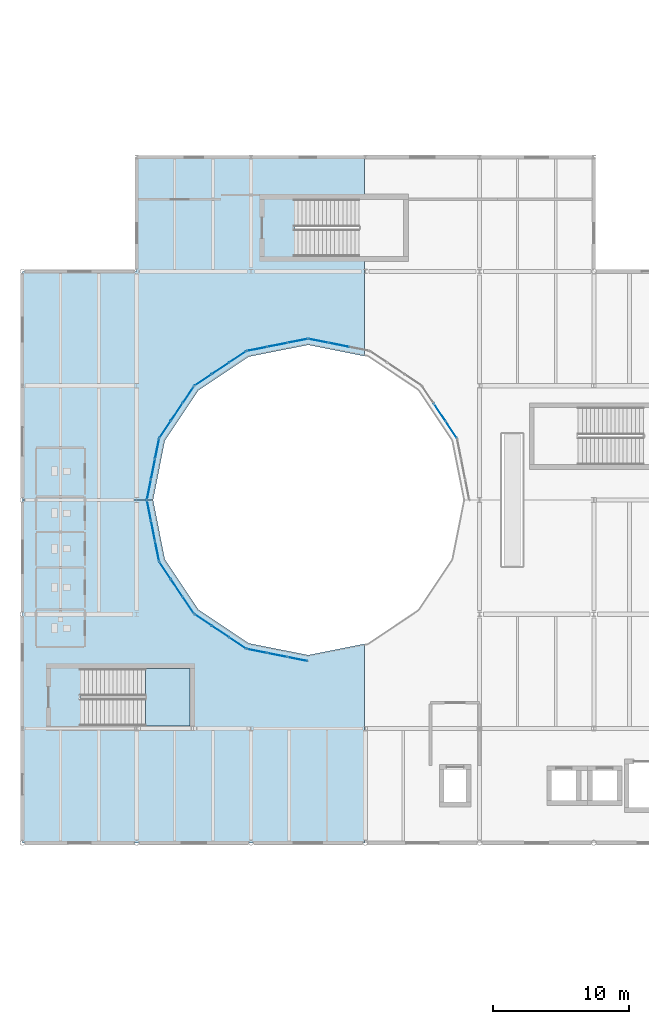
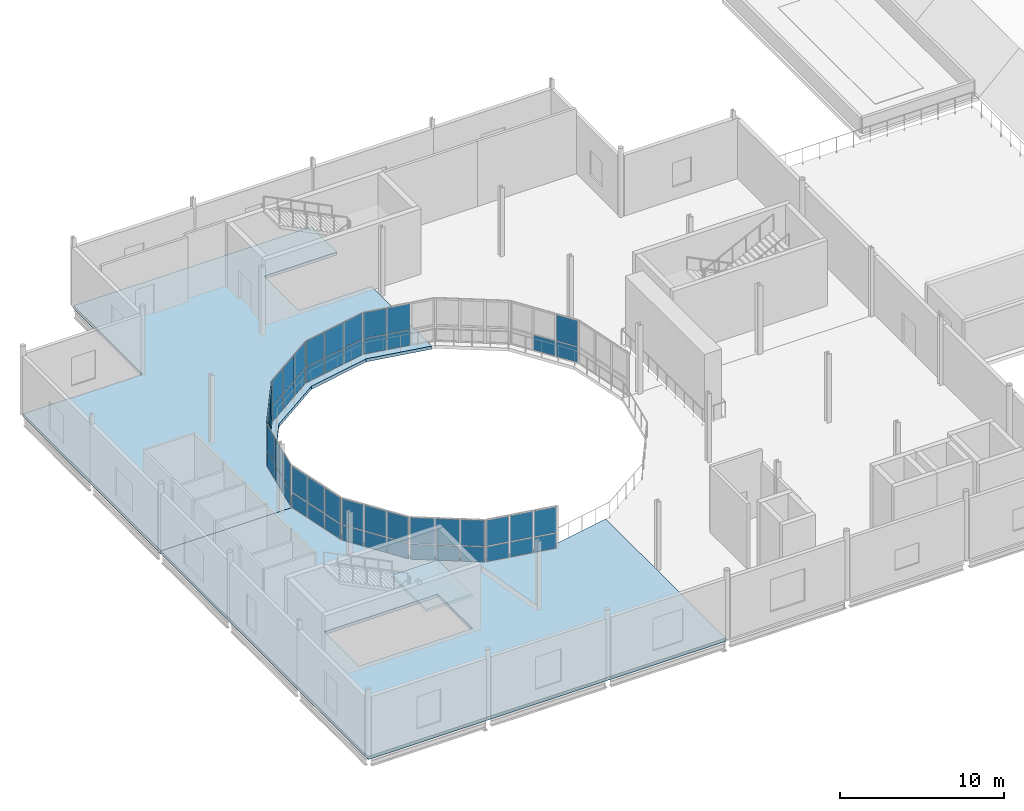
# One storey, part 59 of 91: 55 plates, 3 slabs, 11 elements without a shape of their own.
"""IFC4 building model written with IfcOpenShell, lengths in metres."""

from ifc_helpers import new_model, si_unit, direction, frame, origin, origin_2d, place, context, subcontext, project, spatial, polyline, rectangle, outline, extrude, material, layer, layer_set, type_object, element, aggregate, save


model = new_model("IFC4")

# Units and contexts
model_context = context("Model", 3, precision=1e-05, world=origin(), true_north=direction((0.0, 1.0)))
body_context = subcontext(model_context, "Body", "Model", "MODEL_VIEW")
ifc_project = project(units=[si_unit("LENGTHUNIT", "METRE"), si_unit("AREAUNIT", "SQUARE_METRE"), si_unit("VOLUMEUNIT", "CUBIC_METRE"), si_unit("PLANEANGLEUNIT", "RADIAN"), si_unit("MASSUNIT", "GRAM", prefix="KILO"), si_unit("THERMODYNAMICTEMPERATUREUNIT", "KELVIN")], contexts=[model_context])

# Site, building, storey
site_placement = place(None, origin())
site = spatial("IfcSite", under=ifc_project, at=site_placement, CompositionType="ELEMENT")
building_placement = place(site_placement, origin())
building = spatial("IfcBuilding", under=site, at=building_placement, Name="Lustrewick Department Store", CompositionType="ELEMENT")
storey_placement = place(building_placement, frame((0.0, 0.0, 21.60009765625)))
storey = spatial("IfcBuildingStorey", under=building, at=storey_placement, Name="L05", CompositionType="ELEMENT", Elevation=21.60009765625)

# Curtain wall, plates
ifc_material_1 = material(Name="Thermally broken aluminium 6063-T5", Category="aluminium")
ifc_layer_1 = layer(ifc_material_1, 0.169921875, Name="Thermally broken aluminium 6063-T5")
ifc_layer_set_1 = layer_set([ifc_layer_1], Name="Thermally broken aluminium 6063-T5")
curtain_wall_type_1 = type_object("IfcCurtainWallType", Name="CW16", PredefinedType="NOTDEFINED", material=ifc_layer_set_1)
curtain_wall_1_placement = place(storey_placement, origin())
curtain_wall_1 = element("IfcCurtainWall", 1, at=curtain_wall_1_placement, inside=storey, type_object=curtain_wall_type_1, Name="L05 Atrium Glazed Screen CW16", PredefinedType="NOTDEFINED")
ifc_material_2 = material(Name="Fire-protective atrium safety glass", Category="glass")
ifc_layer_2 = layer(ifc_material_2, 0.02490234375, Name="Fire-protective atrium safety glass")
ifc_layer_set_2 = layer_set([ifc_layer_2], Name="Fire-protective atrium safety glass")
plate_type_1 = type_object("IfcPlateType", Name="CP06", PredefinedType="CURTAIN_PANEL", material=ifc_layer_set_2)
plate_1_placement = place(storey_placement, frame((24.2109375, 77.7109375, 0.06494140625), z_axis=(0.0, 0.0, 1.0), x_axis=(-0.831464212799, -0.555578313862, 0.0)))
plate_1 = element("IfcPlate", 2, at=plate_1_placement, type_object=plate_type_1, Name="CW16 panel 1.1", PredefinedType="CURTAIN_PANEL", context=body_context, shape_type="SweptSolid", body=[
    extrude(rectangle(XDim=1.443603515625, YDim=0.02490234375, at=origin_2d()), origin(), (0.0, 0.0, 1.0), 1.1025390625),
])
plate_2_placement = place(storey_placement, frame((24.2109375, 77.7109375, 1.232421875), z_axis=(0.0, 0.0, 1.0), x_axis=(-0.831464212799, -0.555578313862, 0.0)))
plate_2 = element("IfcPlate", 3, at=plate_2_placement, type_object=plate_type_1, Name="CW16 panel 1.2", PredefinedType="CURTAIN_PANEL", context=body_context, shape_type="SweptSolid", body=[
    extrude(rectangle(XDim=1.443603515625, YDim=0.02490234375, at=origin_2d()), origin(), (0.0, 0.0, 1.0), 1.902587890625),
])
plate_3_placement = place(storey_placement, frame((22.943115234375, 76.863525390625, 0.06494140625), z_axis=(0.0, 0.0, 1.0), x_axis=(-0.831464212799, -0.555578313862, 0.0)))
plate_3 = element("IfcPlate", 4, at=plate_3_placement, type_object=plate_type_1, Name="CW16 panel 2.1", PredefinedType="CURTAIN_PANEL", context=body_context, shape_type="SweptSolid", body=[
    extrude(rectangle(XDim=1.476318359375, YDim=0.02490234375, at=origin_2d()), origin(), (0.0, 0.0, 1.0), 1.1025390625),
])
plate_4_placement = place(storey_placement, frame((22.943115234375, 76.863525390625, 1.232421875), z_axis=(0.0, 0.0, 1.0), x_axis=(-0.831464212799, -0.555578313862, 0.0)))
plate_4 = element("IfcPlate", 5, at=plate_4_placement, type_object=plate_type_1, Name="CW16 panel 2.2", PredefinedType="CURTAIN_PANEL", context=body_context, shape_type="SweptSolid", body=[
    extrude(rectangle(XDim=1.476318359375, YDim=0.02490234375, at=origin_2d()), origin(), (0.0, 0.0, 1.0), 1.902587890625),
])
plate_5_placement = place(storey_placement, frame((21.675048828125, 76.016357421875, 0.06494140625), z_axis=(0.0, 0.0, 1.0), x_axis=(-0.831464212799, -0.555578313862, 0.0)))
plate_5 = element("IfcPlate", 6, at=plate_5_placement, type_object=plate_type_1, Name="CW16 panel 3.1", PredefinedType="CURTAIN_PANEL", context=body_context, shape_type="SweptSolid", body=[
    extrude(rectangle(XDim=1.443603515625, YDim=0.02490234375, at=origin_2d()), origin(), (0.0, 0.0, 1.0), 1.1025390625),
])
plate_6_placement = place(storey_placement, frame((21.675048828125, 76.016357421875, 1.232421875), z_axis=(0.0, 0.0, 1.0), x_axis=(-0.831464212799, -0.555578313862, 0.0)))
plate_6 = element("IfcPlate", 7, at=plate_6_placement, type_object=plate_type_1, Name="CW16 panel 3.2", PredefinedType="CURTAIN_PANEL", context=body_context, shape_type="SweptSolid", body=[
    extrude(rectangle(XDim=1.443603515625, YDim=0.02490234375, at=origin_2d()), origin(), (0.0, 0.0, 1.0), 1.902587890625),
])
aggregate(curtain_wall_1, [plate_1, plate_2, plate_3, plate_4, plate_5, plate_6])

curtain_wall_2_placement = place(storey_placement, origin())
curtain_wall_2 = element("IfcCurtainWall", 8, at=curtain_wall_2_placement, inside=storey, type_object=curtain_wall_type_1, Name="L05 Atrium Glazed Screen CW16", PredefinedType="NOTDEFINED")
plate_7_placement = place(storey_placement, frame((17.70361328125, 66.42822265625, 0.06494140625), z_axis=(0.0, 0.0, 1.0), x_axis=(0.195084537521, -0.980786430993, 0.0)))
plate_7 = element("IfcPlate", 9, at=plate_7_placement, type_object=plate_type_1, Name="CW16 panel 1.1", PredefinedType="CURTAIN_PANEL", context=body_context, shape_type="SweptSolid", body=[
    extrude(rectangle(XDim=1.443603515625, YDim=0.02490234375, at=origin_2d()), origin(), (0.0, 0.0, 1.0), 1.1025390625),
])
plate_8_placement = place(storey_placement, frame((17.70361328125, 66.42822265625, 1.232421875), z_axis=(0.0, 0.0, 1.0), x_axis=(0.195084537521, -0.980786430993, 0.0)))
plate_8 = element("IfcPlate", 10, at=plate_8_placement, type_object=plate_type_1, Name="CW16 panel 1.2", PredefinedType="CURTAIN_PANEL", context=body_context, shape_type="SweptSolid", body=[
    extrude(rectangle(XDim=1.443603515625, YDim=0.02490234375, at=origin_2d()), origin(), (0.0, 0.0, 1.0), 1.902587890625),
])
plate_9_placement = place(storey_placement, frame((18.0009765625, 64.9326171875, 0.06494140625), z_axis=(0.0, 0.0, 1.0), x_axis=(0.195084537521, -0.980786430993, 0.0)))
plate_9 = element("IfcPlate", 11, at=plate_9_placement, type_object=plate_type_1, Name="CW16 panel 2.1", PredefinedType="CURTAIN_PANEL", context=body_context, shape_type="SweptSolid", body=[
    extrude(rectangle(XDim=1.476318359375, YDim=0.02490234375, at=origin_2d()), origin(), (0.0, 0.0, 1.0), 1.1025390625),
])
plate_10_placement = place(storey_placement, frame((18.0009765625, 64.9326171875, 1.232421875), z_axis=(0.0, 0.0, 1.0), x_axis=(0.195084537521, -0.980786430993, 0.0)))
plate_10 = element("IfcPlate", 12, at=plate_10_placement, type_object=plate_type_1, Name="CW16 panel 2.2", PredefinedType="CURTAIN_PANEL", context=body_context, shape_type="SweptSolid", body=[
    extrude(rectangle(XDim=1.476318359375, YDim=0.02490234375, at=origin_2d()), origin(), (0.0, 0.0, 1.0), 1.902587890625),
])
plate_11_placement = place(storey_placement, frame((18.298583984375, 63.43701171875, 0.06494140625), z_axis=(0.0, 0.0, 1.0), x_axis=(0.195084537521, -0.980786430993, 0.0)))
plate_11 = element("IfcPlate", 13, at=plate_11_placement, type_object=plate_type_1, Name="CW16 panel 3.1", PredefinedType="CURTAIN_PANEL", context=body_context, shape_type="SweptSolid", body=[
    extrude(rectangle(XDim=1.443603515625, YDim=0.02490234375, at=origin_2d()), origin(), (0.0, 0.0, 1.0), 1.1025390625),
])
plate_12_placement = place(storey_placement, frame((18.298583984375, 63.43701171875, 1.232421875), z_axis=(0.0, 0.0, 1.0), x_axis=(0.195084537521, -0.980786430993, 0.0)))
plate_12 = element("IfcPlate", 14, at=plate_12_placement, type_object=plate_type_1, Name="CW16 panel 3.2", PredefinedType="CURTAIN_PANEL", context=body_context, shape_type="SweptSolid", body=[
    extrude(rectangle(XDim=1.443603515625, YDim=0.02490234375, at=origin_2d()), origin(), (0.0, 0.0, 1.0), 1.902587890625),
])
aggregate(curtain_wall_2, [plate_7, plate_8, plate_9, plate_10, plate_11, plate_12])

curtain_wall_3_placement = place(storey_placement, origin())
curtain_wall_3 = element("IfcCurtainWall", 15, at=curtain_wall_3_placement, inside=storey, type_object=curtain_wall_type_1, Name="L05 Atrium Glazed Screen CW16", PredefinedType="NOTDEFINED")
plate_13_placement = place(storey_placement, frame((25.636962890625, 56.098388671875, 0.06494140625), z_axis=(0.0, 0.0, 1.0), x_axis=(0.980786430993, -0.195084537521, 0.0)))
plate_13 = element("IfcPlate", 16, at=plate_13_placement, type_object=plate_type_1, Name="CW16 panel 1.1", PredefinedType="CURTAIN_PANEL", context=body_context, shape_type="SweptSolid", body=[
    extrude(rectangle(XDim=1.443603515625, YDim=0.02490234375, at=origin_2d()), origin(), (0.0, 0.0, 1.0), 1.1025390625),
])
plate_14_placement = place(storey_placement, frame((25.636962890625, 56.098388671875, 1.232421875), z_axis=(0.0, 0.0, 1.0), x_axis=(0.980786430993, -0.195084537521, 0.0)))
plate_14 = element("IfcPlate", 17, at=plate_14_placement, type_object=plate_type_1, Name="CW16 panel 1.2", PredefinedType="CURTAIN_PANEL", context=body_context, shape_type="SweptSolid", body=[
    extrude(rectangle(XDim=1.443603515625, YDim=0.02490234375, at=origin_2d()), origin(), (0.0, 0.0, 1.0), 1.902587890625),
])
plate_15_placement = place(storey_placement, frame((27.132568359375, 55.801025390625, 0.06494140625), z_axis=(0.0, 0.0, 1.0), x_axis=(0.980786430993, -0.195084537521, 0.0)))
plate_15 = element("IfcPlate", 18, at=plate_15_placement, type_object=plate_type_1, Name="CW16 panel 2.1", PredefinedType="CURTAIN_PANEL", context=body_context, shape_type="SweptSolid", body=[
    extrude(rectangle(XDim=1.476318359375, YDim=0.02490234375, at=origin_2d()), origin(), (0.0, 0.0, 1.0), 1.1025390625),
])
plate_16_placement = place(storey_placement, frame((27.132568359375, 55.801025390625, 1.232421875), z_axis=(0.0, 0.0, 1.0), x_axis=(0.980786430993, -0.195084537521, 0.0)))
plate_16 = element("IfcPlate", 19, at=plate_16_placement, type_object=plate_type_1, Name="CW16 panel 2.2", PredefinedType="CURTAIN_PANEL", context=body_context, shape_type="SweptSolid", body=[
    extrude(rectangle(XDim=1.476318359375, YDim=0.02490234375, at=origin_2d()), origin(), (0.0, 0.0, 1.0), 1.902587890625),
])
plate_17_placement = place(storey_placement, frame((28.628173828125, 55.50341796875, 0.06494140625), z_axis=(0.0, 0.0, 1.0), x_axis=(0.980786430993, -0.195084537521, 0.0)))
plate_17 = element("IfcPlate", 20, at=plate_17_placement, type_object=plate_type_1, Name="CW16 panel 3.1", PredefinedType="CURTAIN_PANEL", context=body_context, shape_type="SweptSolid", body=[
    extrude(rectangle(XDim=1.443603515625, YDim=0.02490234375, at=origin_2d()), origin(), (0.0, 0.0, 1.0), 1.1025390625),
])
plate_18_placement = place(storey_placement, frame((28.628173828125, 55.50341796875, 1.232421875), z_axis=(0.0, 0.0, 1.0), x_axis=(0.980786430993, -0.195084537521, 0.0)))
plate_18 = element("IfcPlate", 21, at=plate_18_placement, type_object=plate_type_1, Name="CW16 panel 3.2", PredefinedType="CURTAIN_PANEL", context=body_context, shape_type="SweptSolid", body=[
    extrude(rectangle(XDim=1.443603515625, YDim=0.02490234375, at=origin_2d()), origin(), (0.0, 0.0, 1.0), 1.902587890625),
])
aggregate(curtain_wall_3, [plate_13, plate_14, plate_15, plate_16, plate_17, plate_18])

ifc_layer_3 = layer(ifc_material_1, 0.159912109375, Name="Thermally broken aluminium 6063-T5")
ifc_layer_set_3 = layer_set([ifc_layer_3], Name="Thermally broken aluminium 6063-T5")
curtain_wall_type_2 = type_object("IfcCurtainWallType", Name="CW17", PredefinedType="NOTDEFINED", material=ifc_layer_set_3)
curtain_wall_4_placement = place(storey_placement, origin())
curtain_wall_4 = element("IfcCurtainWall", 22, at=curtain_wall_4_placement, inside=storey, type_object=curtain_wall_type_2, Name="L05 Atrium Glazed Screen CW17", PredefinedType="NOTDEFINED")
ifc_layer_4 = layer(ifc_material_2, 0.027099609375, Name="Fire-protective atrium safety glass")
ifc_layer_set_4 = layer_set([ifc_layer_4], Name="Fire-protective atrium safety glass")
plate_type_2 = type_object("IfcPlateType", Name="CP07", PredefinedType="CURTAIN_PANEL", material=ifc_layer_set_4)
plate_19_placement = place(storey_placement, frame((31.66748046875, 78.59912109375, 0.06005859375), z_axis=(0.0, 0.0, 1.0), x_axis=(-0.980786430993, 0.195084537521, 0.0)))
plate_19 = element("IfcPlate", 23, at=plate_19_placement, type_object=plate_type_2, Name="CW17 panel 2.1", PredefinedType="CURTAIN_PANEL", context=body_context, shape_type="SweptSolid", body=[
    extrude(rectangle(XDim=1.481201171875, YDim=0.027099609375, at=origin_2d()), origin(), (0.0, 0.0, 1.0), 1.110107421875),
])
plate_20_placement = place(storey_placement, frame((31.66748046875, 78.59912109375, 1.22998046875), z_axis=(0.0, 0.0, 1.0), x_axis=(-0.980786430993, 0.195084537521, 0.0)))
plate_20 = element("IfcPlate", 24, at=plate_20_placement, type_object=plate_type_2, Name="CW17 panel 2.2", PredefinedType="CURTAIN_PANEL", context=body_context, shape_type="SweptSolid", body=[
    extrude(rectangle(XDim=1.481201171875, YDim=0.027099609375, at=origin_2d()), origin(), (0.0, 0.0, 1.0), 1.909912109375),
])
plate_21_placement = place(storey_placement, frame((30.17041015625, 78.896728515625, 0.06005859375), z_axis=(0.0, 0.0, 1.0), x_axis=(-0.980786430993, 0.195084537521, 0.0)))
plate_21 = element("IfcPlate", 25, at=plate_21_placement, type_object=plate_type_2, Name="CW17 panel 3.1", PredefinedType="CURTAIN_PANEL", context=body_context, shape_type="SweptSolid", body=[
    extrude(rectangle(XDim=1.451171875, YDim=0.027099609375, at=origin_2d()), origin(), (0.0, 0.0, 1.0), 1.110107421875),
])
plate_22_placement = place(storey_placement, frame((30.17041015625, 78.896728515625, 1.22998046875), z_axis=(0.0, 0.0, 1.0), x_axis=(-0.980786430993, 0.195084537521, 0.0)))
plate_22 = element("IfcPlate", 26, at=plate_22_placement, type_object=plate_type_2, Name="CW17 panel 3.2", PredefinedType="CURTAIN_PANEL", context=body_context, shape_type="SweptSolid", body=[
    extrude(rectangle(XDim=1.451171875, YDim=0.027099609375, at=origin_2d()), origin(), (0.0, 0.0, 1.0), 1.909912109375),
])
aggregate(curtain_wall_4, [plate_19, plate_20, plate_21, plate_22])

curtain_wall_5_placement = place(storey_placement, origin())
curtain_wall_5 = element("IfcCurtainWall", 27, at=curtain_wall_5_placement, inside=storey, type_object=curtain_wall_type_2, Name="L05 Atrium Glazed Screen CW17", PredefinedType="NOTDEFINED")
plate_23_placement = place(storey_placement, frame((20.584228515625, 74.926025390625, 0.06005859375), z_axis=(0.0, 0.0, 1.0), x_axis=(-0.555578313862, -0.831464212799, 0.0)))
plate_23 = element("IfcPlate", 28, at=plate_23_placement, type_object=plate_type_2, Name="CW17 panel 1.1", PredefinedType="CURTAIN_PANEL", context=body_context, shape_type="SweptSolid", body=[
    extrude(rectangle(XDim=1.451171875, YDim=0.027099609375, at=origin_2d()), origin(), (0.0, 0.0, 1.0), 1.110107421875),
])
plate_24_placement = place(storey_placement, frame((20.584228515625, 74.926025390625, 1.22998046875), z_axis=(0.0, 0.0, 1.0), x_axis=(-0.555578313862, -0.831464212799, 0.0)))
plate_24 = element("IfcPlate", 29, at=plate_24_placement, type_object=plate_type_2, Name="CW17 panel 1.2", PredefinedType="CURTAIN_PANEL", context=body_context, shape_type="SweptSolid", body=[
    extrude(rectangle(XDim=1.451171875, YDim=0.027099609375, at=origin_2d()), origin(), (0.0, 0.0, 1.0), 1.909912109375),
])
plate_25_placement = place(storey_placement, frame((19.736328125, 73.656982421875, 0.06005859375), z_axis=(0.0, 0.0, 1.0), x_axis=(-0.555578313862, -0.831464212799, 0.0)))
plate_25 = element("IfcPlate", 30, at=plate_25_placement, type_object=plate_type_2, Name="CW17 panel 2.1", PredefinedType="CURTAIN_PANEL", context=body_context, shape_type="SweptSolid", body=[
    extrude(rectangle(XDim=1.481201171875, YDim=0.027099609375, at=origin_2d()), origin(), (0.0, 0.0, 1.0), 1.110107421875),
])
plate_26_placement = place(storey_placement, frame((19.736328125, 73.656982421875, 1.22998046875), z_axis=(0.0, 0.0, 1.0), x_axis=(-0.555578313862, -0.831464212799, 0.0)))
plate_26 = element("IfcPlate", 31, at=plate_26_placement, type_object=plate_type_2, Name="CW17 panel 2.2", PredefinedType="CURTAIN_PANEL", context=body_context, shape_type="SweptSolid", body=[
    extrude(rectangle(XDim=1.481201171875, YDim=0.027099609375, at=origin_2d()), origin(), (0.0, 0.0, 1.0), 1.909912109375),
])
plate_27_placement = place(storey_placement, frame((18.888427734375, 72.387939453125, 0.06005859375), z_axis=(0.0, 0.0, 1.0), x_axis=(-0.555578313862, -0.831464212799, 0.0)))
plate_27 = element("IfcPlate", 32, at=plate_27_placement, type_object=plate_type_2, Name="CW17 panel 3.1", PredefinedType="CURTAIN_PANEL", context=body_context, shape_type="SweptSolid", body=[
    extrude(rectangle(XDim=1.451171875, YDim=0.027099609375, at=origin_2d()), origin(), (0.0, 0.0, 1.0), 1.110107421875),
])
plate_28_placement = place(storey_placement, frame((18.888427734375, 72.387939453125, 1.22998046875), z_axis=(0.0, 0.0, 1.0), x_axis=(-0.555578313862, -0.831464212799, 0.0)))
plate_28 = element("IfcPlate", 33, at=plate_28_placement, type_object=plate_type_2, Name="CW17 panel 3.2", PredefinedType="CURTAIN_PANEL", context=body_context, shape_type="SweptSolid", body=[
    extrude(rectangle(XDim=1.451171875, YDim=0.027099609375, at=origin_2d()), origin(), (0.0, 0.0, 1.0), 1.909912109375),
])
aggregate(curtain_wall_5, [plate_23, plate_24, plate_25, plate_26, plate_27, plate_28])

curtain_wall_6_placement = place(storey_placement, origin())
curtain_wall_6 = element("IfcCurtainWall", 34, at=curtain_wall_6_placement, inside=storey, type_object=curtain_wall_type_2, Name="L05 Atrium Glazed Screen CW17", PredefinedType="NOTDEFINED")
plate_29_placement = place(storey_placement, frame((18.888427734375, 62.011962890625, 0.06005859375), z_axis=(0.0, 0.0, 1.0), x_axis=(0.555578313862, -0.831464212799, 0.0)))
plate_29 = element("IfcPlate", 35, at=plate_29_placement, type_object=plate_type_2, Name="CW17 panel 1.1", PredefinedType="CURTAIN_PANEL", context=body_context, shape_type="SweptSolid", body=[
    extrude(rectangle(XDim=1.451171875, YDim=0.027099609375, at=origin_2d()), origin(), (0.0, 0.0, 1.0), 1.110107421875),
])
plate_30_placement = place(storey_placement, frame((18.888427734375, 62.011962890625, 1.22998046875), z_axis=(0.0, 0.0, 1.0), x_axis=(0.555578313862, -0.831464212799, 0.0)))
plate_30 = element("IfcPlate", 36, at=plate_30_placement, type_object=plate_type_2, Name="CW17 panel 1.2", PredefinedType="CURTAIN_PANEL", context=body_context, shape_type="SweptSolid", body=[
    extrude(rectangle(XDim=1.451171875, YDim=0.027099609375, at=origin_2d()), origin(), (0.0, 0.0, 1.0), 1.909912109375),
])
plate_31_placement = place(storey_placement, frame((19.736328125, 60.742919921875, 0.06005859375), z_axis=(0.0, 0.0, 1.0), x_axis=(0.555578313862, -0.831464212799, 0.0)))
plate_31 = element("IfcPlate", 37, at=plate_31_placement, type_object=plate_type_2, Name="CW17 panel 2.1", PredefinedType="CURTAIN_PANEL", context=body_context, shape_type="SweptSolid", body=[
    extrude(rectangle(XDim=1.481201171875, YDim=0.027099609375, at=origin_2d()), origin(), (0.0, 0.0, 1.0), 1.110107421875),
])
plate_32_placement = place(storey_placement, frame((19.736328125, 60.742919921875, 1.22998046875), z_axis=(0.0, 0.0, 1.0), x_axis=(0.555578313862, -0.831464212799, 0.0)))
plate_32 = element("IfcPlate", 38, at=plate_32_placement, type_object=plate_type_2, Name="CW17 panel 2.2", PredefinedType="CURTAIN_PANEL", context=body_context, shape_type="SweptSolid", body=[
    extrude(rectangle(XDim=1.481201171875, YDim=0.027099609375, at=origin_2d()), origin(), (0.0, 0.0, 1.0), 1.909912109375),
])
plate_33_placement = place(storey_placement, frame((20.584228515625, 59.47412109375, 0.06005859375), z_axis=(0.0, 0.0, 1.0), x_axis=(0.555578313862, -0.831464212799, 0.0)))
plate_33 = element("IfcPlate", 39, at=plate_33_placement, type_object=plate_type_2, Name="CW17 panel 3.1", PredefinedType="CURTAIN_PANEL", context=body_context, shape_type="SweptSolid", body=[
    extrude(rectangle(XDim=1.451171875, YDim=0.027099609375, at=origin_2d()), origin(), (0.0, 0.0, 1.0), 1.110107421875),
])
plate_34_placement = place(storey_placement, frame((20.584228515625, 59.47412109375, 1.22998046875), z_axis=(0.0, 0.0, 1.0), x_axis=(0.555578313862, -0.831464212799, 0.0)))
plate_34 = element("IfcPlate", 40, at=plate_34_placement, type_object=plate_type_2, Name="CW17 panel 3.2", PredefinedType="CURTAIN_PANEL", context=body_context, shape_type="SweptSolid", body=[
    extrude(rectangle(XDim=1.451171875, YDim=0.027099609375, at=origin_2d()), origin(), (0.0, 0.0, 1.0), 1.909912109375),
])
aggregate(curtain_wall_6, [plate_29, plate_30, plate_31, plate_32, plate_33, plate_34])

ifc_layer_5 = layer(ifc_material_1, 0.14990234375, Name="Thermally broken aluminium 6063-T5")
ifc_layer_set_5 = layer_set([ifc_layer_5], Name="Thermally broken aluminium 6063-T5")
curtain_wall_type_3 = type_object("IfcCurtainWallType", Name="CW18", PredefinedType="NOTDEFINED", material=ifc_layer_set_5)
curtain_wall_7_placement = place(storey_placement, origin())
curtain_wall_7 = element("IfcCurtainWall", 41, at=curtain_wall_7_placement, inside=storey, type_object=curtain_wall_type_3, Name="L05 Atrium Glazed Screen CW18", PredefinedType="NOTDEFINED")
ifc_material_3 = material(Name="Fire-protective arcade safety glass", Category="glass")
ifc_layer_6 = layer(ifc_material_3, 0.029052734375, Name="Fire-protective arcade safety glass")
ifc_layer_set_6 = layer_set([ifc_layer_6], Name="Fire-protective arcade safety glass")
plate_type_3 = type_object("IfcPlateType", Name="CP08", PredefinedType="CURTAIN_PANEL", material=ifc_layer_set_6)
plate_35_placement = place(storey_placement, frame((39.91162109375, 72.387939453125, 0.06005859375), z_axis=(0.0, 0.0, 1.0), x_axis=(-0.555578313862, 0.831464212799, 0.0)))
plate_35 = element("IfcPlate", 42, at=plate_35_placement, type_object=plate_type_3, Name="CW18 panel 1.1", PredefinedType="CURTAIN_PANEL", context=body_context, shape_type="SweptSolid", body=[
    extrude(rectangle(XDim=1.451171875, YDim=0.029052734375, at=origin_2d()), origin(), (0.0, 0.0, 1.0), 1.110107421875),
])
plate_36_placement = place(storey_placement, frame((39.91162109375, 72.387939453125, 1.22998046875), z_axis=(0.0, 0.0, 1.0), x_axis=(-0.555578313862, 0.831464212799, 0.0)))
plate_36 = element("IfcPlate", 43, at=plate_36_placement, type_object=plate_type_3, Name="CW18 panel 1.2", PredefinedType="CURTAIN_PANEL", context=body_context, shape_type="SweptSolid", body=[
    extrude(rectangle(XDim=1.451171875, YDim=0.029052734375, at=origin_2d()), origin(), (0.0, 0.0, 1.0), 1.909912109375),
])
plate_37_placement = place(storey_placement, frame((39.063720703125, 73.656982421875, 0.06005859375), z_axis=(0.0, 0.0, 1.0), x_axis=(-0.555578313862, 0.831464212799, 0.0)))
plate_37 = element("IfcPlate", 44, at=plate_37_placement, type_object=plate_type_3, Name="CW18 panel 2.1", PredefinedType="CURTAIN_PANEL", context=body_context, shape_type="SweptSolid", body=[
    extrude(rectangle(XDim=1.481201171875, YDim=0.029052734375, at=origin_2d()), origin(), (0.0, 0.0, 1.0), 1.110107421875),
])
aggregate(curtain_wall_7, [plate_35, plate_36, plate_37])

curtain_wall_8_placement = place(storey_placement, origin())
curtain_wall_8 = element("IfcCurtainWall", 45, at=curtain_wall_8_placement, inside=storey, type_object=curtain_wall_type_3, Name="L05 Atrium Glazed Screen CW18", PredefinedType="NOTDEFINED")
plate_38_placement = place(storey_placement, frame((28.62939453125, 78.896728515625, 0.06005859375), z_axis=(0.0, 0.0, 1.0), x_axis=(-0.980786430993, -0.195084537521, 0.0)))
plate_38 = element("IfcPlate", 46, at=plate_38_placement, type_object=plate_type_3, Name="CW18 panel 1.1", PredefinedType="CURTAIN_PANEL", context=body_context, shape_type="SweptSolid", body=[
    extrude(rectangle(XDim=1.451171875, YDim=0.029052734375, at=origin_2d()), origin(), (0.0, 0.0, 1.0), 1.110107421875),
])
plate_39_placement = place(storey_placement, frame((28.62939453125, 78.896728515625, 1.22998046875), z_axis=(0.0, 0.0, 1.0), x_axis=(-0.980786430993, -0.195084537521, 0.0)))
plate_39 = element("IfcPlate", 47, at=plate_39_placement, type_object=plate_type_3, Name="CW18 panel 1.2", PredefinedType="CURTAIN_PANEL", context=body_context, shape_type="SweptSolid", body=[
    extrude(rectangle(XDim=1.451171875, YDim=0.029052734375, at=origin_2d()), origin(), (0.0, 0.0, 1.0), 1.909912109375),
])
plate_40_placement = place(storey_placement, frame((27.132568359375, 78.59912109375, 0.06005859375), z_axis=(0.0, 0.0, 1.0), x_axis=(-0.980786430993, -0.195084537521, 0.0)))
plate_40 = element("IfcPlate", 48, at=plate_40_placement, type_object=plate_type_3, Name="CW18 panel 2.1", PredefinedType="CURTAIN_PANEL", context=body_context, shape_type="SweptSolid", body=[
    extrude(rectangle(XDim=1.481201171875, YDim=0.029052734375, at=origin_2d()), origin(), (0.0, 0.0, 1.0), 1.110107421875),
])
plate_41_placement = place(storey_placement, frame((27.132568359375, 78.59912109375, 1.22998046875), z_axis=(0.0, 0.0, 1.0), x_axis=(-0.980786430993, -0.195084537521, 0.0)))
plate_41 = element("IfcPlate", 49, at=plate_41_placement, type_object=plate_type_3, Name="CW18 panel 2.2", PredefinedType="CURTAIN_PANEL", context=body_context, shape_type="SweptSolid", body=[
    extrude(rectangle(XDim=1.481201171875, YDim=0.029052734375, at=origin_2d()), origin(), (0.0, 0.0, 1.0), 1.909912109375),
])
plate_42_placement = place(storey_placement, frame((25.6357421875, 78.30126953125, 0.06005859375), z_axis=(0.0, 0.0, 1.0), x_axis=(-0.980786430993, -0.195084537521, 0.0)))
plate_42 = element("IfcPlate", 50, at=plate_42_placement, type_object=plate_type_3, Name="CW18 panel 3.1", PredefinedType="CURTAIN_PANEL", context=body_context, shape_type="SweptSolid", body=[
    extrude(rectangle(XDim=1.451171875, YDim=0.029052734375, at=origin_2d()), origin(), (0.0, 0.0, 1.0), 1.110107421875),
])
plate_43_placement = place(storey_placement, frame((25.6357421875, 78.30126953125, 1.22998046875), z_axis=(0.0, 0.0, 1.0), x_axis=(-0.980786430993, -0.195084537521, 0.0)))
plate_43 = element("IfcPlate", 51, at=plate_43_placement, type_object=plate_type_3, Name="CW18 panel 3.2", PredefinedType="CURTAIN_PANEL", context=body_context, shape_type="SweptSolid", body=[
    extrude(rectangle(XDim=1.451171875, YDim=0.029052734375, at=origin_2d()), origin(), (0.0, 0.0, 1.0), 1.909912109375),
])
aggregate(curtain_wall_8, [plate_38, plate_39, plate_40, plate_41, plate_42, plate_43])

curtain_wall_9_placement = place(storey_placement, origin())
curtain_wall_9 = element("IfcCurtainWall", 52, at=curtain_wall_9_placement, inside=storey, type_object=curtain_wall_type_3, Name="L05 Atrium Glazed Screen CW18", PredefinedType="NOTDEFINED")
plate_44_placement = place(storey_placement, frame((18.298828125, 70.96435546875, 0.06005859375), z_axis=(0.0, 0.0, 1.0), x_axis=(-0.195084537521, -0.980786430993, 0.0)))
plate_44 = element("IfcPlate", 53, at=plate_44_placement, type_object=plate_type_3, Name="CW18 panel 1.1", PredefinedType="CURTAIN_PANEL", context=body_context, shape_type="SweptSolid", body=[
    extrude(rectangle(XDim=1.451171875, YDim=0.029052734375, at=origin_2d()), origin(), (0.0, 0.0, 1.0), 1.110107421875),
])
plate_45_placement = place(storey_placement, frame((18.298828125, 70.96435546875, 1.22998046875), z_axis=(0.0, 0.0, 1.0), x_axis=(-0.195084537521, -0.980786430993, 0.0)))
plate_45 = element("IfcPlate", 54, at=plate_45_placement, type_object=plate_type_3, Name="CW18 panel 1.2", PredefinedType="CURTAIN_PANEL", context=body_context, shape_type="SweptSolid", body=[
    extrude(rectangle(XDim=1.451171875, YDim=0.029052734375, at=origin_2d()), origin(), (0.0, 0.0, 1.0), 1.909912109375),
])
plate_46_placement = place(storey_placement, frame((18.0009765625, 69.46728515625, 0.06005859375), z_axis=(0.0, 0.0, 1.0), x_axis=(-0.195084537521, -0.980786430993, 0.0)))
plate_46 = element("IfcPlate", 55, at=plate_46_placement, type_object=plate_type_3, Name="CW18 panel 2.1", PredefinedType="CURTAIN_PANEL", context=body_context, shape_type="SweptSolid", body=[
    extrude(rectangle(XDim=1.481201171875, YDim=0.029052734375, at=origin_2d()), origin(), (0.0, 0.0, 1.0), 1.110107421875),
])
plate_47_placement = place(storey_placement, frame((18.0009765625, 69.46728515625, 1.22998046875), z_axis=(0.0, 0.0, 1.0), x_axis=(-0.195084537521, -0.980786430993, 0.0)))
plate_47 = element("IfcPlate", 56, at=plate_47_placement, type_object=plate_type_3, Name="CW18 panel 2.2", PredefinedType="CURTAIN_PANEL", context=body_context, shape_type="SweptSolid", body=[
    extrude(rectangle(XDim=1.481201171875, YDim=0.029052734375, at=origin_2d()), origin(), (0.0, 0.0, 1.0), 1.909912109375),
])
plate_48_placement = place(storey_placement, frame((17.703369140625, 67.970458984375, 0.06005859375), z_axis=(0.0, 0.0, 1.0), x_axis=(-0.195084537521, -0.980786430993, 0.0)))
plate_48 = element("IfcPlate", 57, at=plate_48_placement, type_object=plate_type_3, Name="CW18 panel 3.1", PredefinedType="CURTAIN_PANEL", context=body_context, shape_type="SweptSolid", body=[
    extrude(rectangle(XDim=1.451171875, YDim=0.029052734375, at=origin_2d()), origin(), (0.0, 0.0, 1.0), 1.110107421875),
])
plate_49_placement = place(storey_placement, frame((17.703369140625, 67.970458984375, 1.22998046875), z_axis=(0.0, 0.0, 1.0), x_axis=(-0.195084537521, -0.980786430993, 0.0)))
plate_49 = element("IfcPlate", 58, at=plate_49_placement, type_object=plate_type_3, Name="CW18 panel 3.2", PredefinedType="CURTAIN_PANEL", context=body_context, shape_type="SweptSolid", body=[
    extrude(rectangle(XDim=1.451171875, YDim=0.029052734375, at=origin_2d()), origin(), (0.0, 0.0, 1.0), 1.909912109375),
])
aggregate(curtain_wall_9, [plate_44, plate_45, plate_46, plate_47, plate_48, plate_49])

curtain_wall_10_placement = place(storey_placement, origin())
curtain_wall_10 = element("IfcCurtainWall", 59, at=curtain_wall_10_placement, inside=storey, type_object=curtain_wall_type_3, Name="L05 Atrium Glazed Screen CW18", PredefinedType="NOTDEFINED")
plate_50_placement = place(storey_placement, frame((21.674072265625, 58.38427734375, 0.06005859375), z_axis=(0.0, 0.0, 1.0), x_axis=(0.831464212799, -0.555578313862, 0.0)))
plate_50 = element("IfcPlate", 60, at=plate_50_placement, type_object=plate_type_3, Name="CW18 panel 1.1", PredefinedType="CURTAIN_PANEL", context=body_context, shape_type="SweptSolid", body=[
    extrude(rectangle(XDim=1.451171875, YDim=0.029052734375, at=origin_2d()), origin(), (0.0, 0.0, 1.0), 1.110107421875),
])
plate_51_placement = place(storey_placement, frame((21.674072265625, 58.38427734375, 1.22998046875), z_axis=(0.0, 0.0, 1.0), x_axis=(0.831464212799, -0.555578313862, 0.0)))
plate_51 = element("IfcPlate", 61, at=plate_51_placement, type_object=plate_type_3, Name="CW18 panel 1.2", PredefinedType="CURTAIN_PANEL", context=body_context, shape_type="SweptSolid", body=[
    extrude(rectangle(XDim=1.451171875, YDim=0.029052734375, at=origin_2d()), origin(), (0.0, 0.0, 1.0), 1.909912109375),
])
plate_52_placement = place(storey_placement, frame((22.943115234375, 57.536376953125, 0.06005859375), z_axis=(0.0, 0.0, 1.0), x_axis=(0.831464212799, -0.555578313862, 0.0)))
plate_52 = element("IfcPlate", 62, at=plate_52_placement, type_object=plate_type_3, Name="CW18 panel 2.1", PredefinedType="CURTAIN_PANEL", context=body_context, shape_type="SweptSolid", body=[
    extrude(rectangle(XDim=1.481201171875, YDim=0.029052734375, at=origin_2d()), origin(), (0.0, 0.0, 1.0), 1.110107421875),
])
plate_53_placement = place(storey_placement, frame((22.943115234375, 57.536376953125, 1.22998046875), z_axis=(0.0, 0.0, 1.0), x_axis=(0.831464212799, -0.555578313862, 0.0)))
plate_53 = element("IfcPlate", 63, at=plate_53_placement, type_object=plate_type_3, Name="CW18 panel 2.2", PredefinedType="CURTAIN_PANEL", context=body_context, shape_type="SweptSolid", body=[
    extrude(rectangle(XDim=1.481201171875, YDim=0.029052734375, at=origin_2d()), origin(), (0.0, 0.0, 1.0), 1.909912109375),
])
plate_54_placement = place(storey_placement, frame((24.2119140625, 56.6884765625, 0.06005859375), z_axis=(0.0, 0.0, 1.0), x_axis=(0.831464212799, -0.555578313862, 0.0)))
plate_54 = element("IfcPlate", 64, at=plate_54_placement, type_object=plate_type_3, Name="CW18 panel 3.1", PredefinedType="CURTAIN_PANEL", context=body_context, shape_type="SweptSolid", body=[
    extrude(rectangle(XDim=1.451171875, YDim=0.029052734375, at=origin_2d()), origin(), (0.0, 0.0, 1.0), 1.110107421875),
])
plate_55_placement = place(storey_placement, frame((24.2119140625, 56.6884765625, 1.22998046875), z_axis=(0.0, 0.0, 1.0), x_axis=(0.831464212799, -0.555578313862, 0.0)))
plate_55 = element("IfcPlate", 65, at=plate_55_placement, type_object=plate_type_3, Name="CW18 panel 3.2", PredefinedType="CURTAIN_PANEL", context=body_context, shape_type="SweptSolid", body=[
    extrude(rectangle(XDim=1.451171875, YDim=0.029052734375, at=origin_2d()), origin(), (0.0, 0.0, 1.0), 1.909912109375),
])
aggregate(curtain_wall_10, [plate_50, plate_51, plate_52, plate_53, plate_54, plate_55])

# Slabs
ifc_material_4 = material(Name="Concrete C30", Category="concrete")
ifc_layer_7 = layer(ifc_material_4, 0.22998046875, Name="Concrete C30")
ifc_layer_set_7 = layer_set([ifc_layer_7], Name="Concrete C30")
slab_type_1 = type_object("IfcSlabType", Name="FS05", PredefinedType="FLOOR", material=ifc_layer_set_7)
slab_1_placement = place(storey_placement, frame((0.0, 0.0, -0.22998046875)))
element("IfcSlab", 66, at=slab_1_placement, inside=storey, type_object=slab_type_1, Name="L05 V1 Floor Slab FS05", PredefinedType="FLOOR", context=body_context, shape_type="SweptSolid", body=[
    extrude(outline(polyline([(8.39990234375, 42.0), (33.52490234375, 42.0), (33.52490234375, 56.62060546875), (29.39990234375, 55.800048828125), (25.037353515625, 56.667724609375), (21.339111328125, 59.138916015625), (18.867919921875, 62.83740234375), (18.0, 67.199951171875), (8.39990234375, 67.199951171875), (8.39990234375, 42.0)]), holes=[polyline([(12.719970703125, 50.60009765625), (12.719970703125, 54.800048828125), (20.699951171875, 54.800048828125), (20.699951171875, 50.60009765625), (12.719970703125, 50.60009765625)])]), origin(), (0.0, 0.0, 1.0), 0.22998046875),
])
slab_2_placement = place(storey_placement, frame((0.0, 0.0, -0.22998046875)))
element("IfcSlab", 67, at=slab_2_placement, inside=storey, type_object=slab_type_1, Name="L05 V1 Floor Slab FS05", PredefinedType="FLOOR", context=body_context, shape_type="SweptSolid", body=[
    extrude(outline(polyline([(8.39990234375, 84.0), (8.39990234375, 67.199951171875), (18.0, 67.199951171875), (18.867919921875, 71.5625), (21.339111328125, 75.260986328125), (25.037353515625, 77.732177734375), (29.39990234375, 78.60009765625), (33.52490234375, 77.779541015625), (33.52490234375, 85.10009765625), (28.419921875, 85.10009765625), (28.419921875, 89.300048828125), (33.52490234375, 89.300048828125), (33.52490234375, 92.39990234375), (16.800048828125, 92.39990234375), (16.800048828125, 84.0), (8.39990234375, 84.0)])), origin(), (0.0, 0.0, 1.0), 0.22998046875),
])

# Stair, slab
stair_type = type_object("IfcStairType", Name="ST-H51", PredefinedType="HALF_TURN_STAIR", material=ifc_material_4)
stair_placement = place(storey_placement, origin())
stair = element("IfcStair", 68, at=stair_placement, inside=storey, type_object=stair_type, Name="L05 Smoke-Proof Exit Stair ST01", PredefinedType="HALF_TURN_STAIR")
ifc_layer_8 = layer(ifc_material_4, 0.199951171875, Name="Concrete C30")
ifc_layer_set_8 = layer_set([ifc_layer_8], Name="Concrete C30")
slab_type_2 = type_object("IfcSlabType", Name="LS01", PredefinedType="LANDING", material=ifc_layer_set_8)
slab_3_placement = place(storey_placement, frame((0.0, 0.0, 2.349853515625)))
slab_3 = element("IfcSlab", 69, at=slab_3_placement, type_object=slab_type_2, Name="ST-H51 landing 1", PredefinedType="LANDING", context=body_context, shape_type="SweptSolid", body=[
    extrude(outline(polyline([(17.449951171875, 50.60009765625), (20.699951171875, 50.60009765625), (20.699951171875, 54.800048828125), (17.449951171875, 54.800048828125), (17.449951171875, 50.60009765625)])), origin(), (0.0, 0.0, 1.0), 0.199951171875),
])
aggregate(stair, [slab_3])

save(model, "model.ifc")
